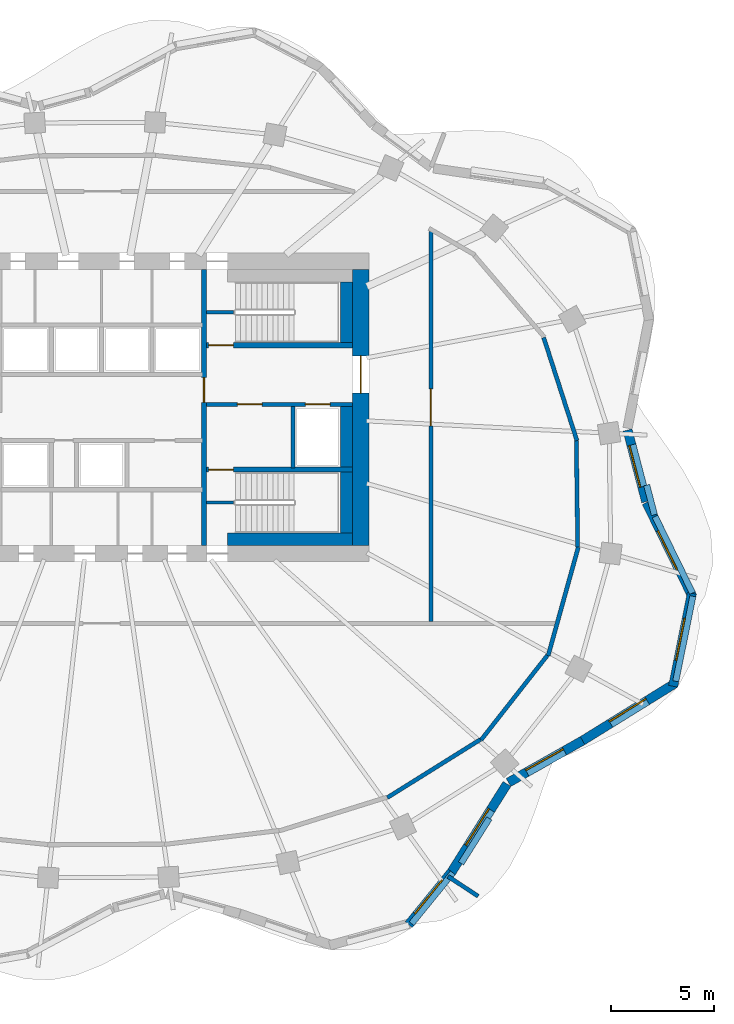
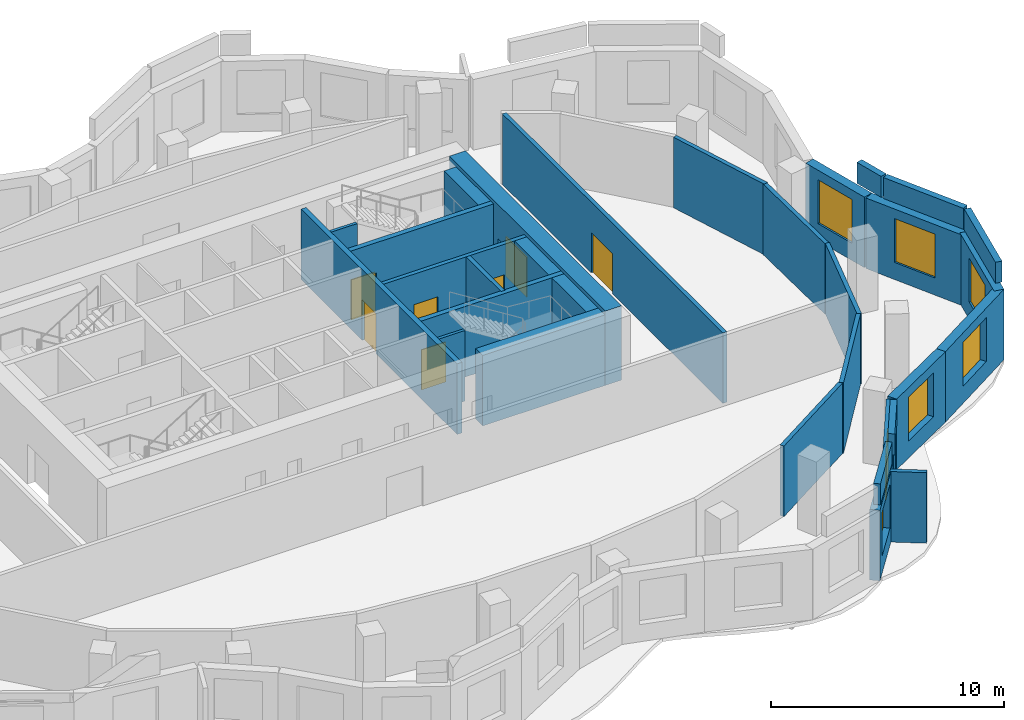
# One storey, part 5 of 8: 31 walls, 7 doors, 7 windows, 14 openings.
"""IFC4 building model written with IfcOpenShell, lengths in metres."""

import ifcopenshell
import ifcopenshell.guid

model = None  # the IFC model being written
_history = None  # IfcOwnerHistory: only IFC2X3 demands one
_inside = {}  # id of a spatial element -> (the spatial element, [elements in it])
_under = {}  # id of a project, library or spatial element -> (it, [spatial elements below it])
_declared = {}  # id of a project -> (the project, [libraries it declares])
_typed = {}  # id of a type object -> (the type object, [elements of that type])
_made_of = {}  # id of a material, layer set ... -> (it, [elements and type objects made of it])


def new_model(schema):
    """Start an empty IFC model of exactly this schema.

    Asked for "IFC4X3", IfcOpenShell would pick the latest addendum, in which some entities
    have other attributes; the version numbers below select the first issue.
    IFC2X3 requires an IfcOwnerHistory on every rooted entity: one is made here for all.
    """
    global model, _history
    if schema == "IFC4X3":
        model = ifcopenshell.file(schema_version=(4, 3, 0, 0))
    else:
        model = ifcopenshell.file(schema=schema)
    _inside.clear()
    _under.clear()
    _declared.clear()
    _typed.clear()
    _made_of.clear()
    _history = None
    if model.schema == "IFC2X3":
        org = make("IfcOrganization", Name="unknown")
        user = make(
            "IfcPersonAndOrganization",
            ThePerson=make("IfcPerson", FamilyName="unknown"),
            TheOrganization=org,
        )
        app = make(
            "IfcApplication",
            ApplicationDeveloper=org,
            Version="unknown",
            ApplicationFullName="unknown",
            ApplicationIdentifier="unknown",
        )
        _history = make(
            "IfcOwnerHistory",
            OwningUser=user,
            OwningApplication=app,
            ChangeAction="ADDED",
            CreationDate=0,
        )
    return model


def make(cls, **values):
    """One entity of the class cls with the attributes given. An attribute that is None is left unset."""
    return model.create_entity(
        cls, **{name: value for name, value in values.items() if value is not None}
    )


def rooted(cls, **values):
    """An entity with a GlobalId (a new one), such as an element, a storey or a relation."""
    return make(cls, GlobalId=ifcopenshell.guid.new(), OwnerHistory=_history, **values)


def si_unit(unit_type, name, prefix=None):
    """IfcSIUnit, for example si_unit("LENGTHUNIT", "METRE", prefix="MILLI")."""
    return make("IfcSIUnit", UnitType=unit_type, Prefix=prefix, Name=name)


def assignment(units):
    """IfcUnitAssignment: the units of a project."""
    return None if units is None else make("IfcUnitAssignment", Units=units)


def point(xyz):
    """IfcCartesianPoint."""
    return None if xyz is None else make("IfcCartesianPoint", Coordinates=xyz)


def direction(xyz):
    """IfcDirection."""
    return None if xyz is None else make("IfcDirection", DirectionRatios=xyz)


def frame(location, z_axis=None, x_axis=None):
    """IfcAxis2Placement3D, a coordinate frame: its origin and axes. An axis left out is left unset."""
    return make(
        "IfcAxis2Placement3D",
        Location=point(location),
        Axis=direction(z_axis),
        RefDirection=direction(x_axis),
    )


def frame_2d(location, x_axis=None):
    """IfcAxis2Placement2D, a coordinate frame in the plane: its origin and x axis."""
    return make(
        "IfcAxis2Placement2D", Location=point(location), RefDirection=direction(x_axis)
    )


def origin():
    """The frame at (0, 0, 0) with its axes left unset."""
    return frame((0.0, 0.0, 0.0))


def place(relative_to, where):
    """IfcLocalPlacement: puts the frame where relative to a parent placement (None: the world)."""
    return make(
        "IfcLocalPlacement", PlacementRelTo=relative_to, RelativePlacement=where
    )


def context(
    kind, dimensions, precision=None, world=None, true_north=None, identifier=None
):
    """IfcGeometricRepresentationContext, for example the 3D "Model" context."""
    return make(
        "IfcGeometricRepresentationContext",
        ContextIdentifier=identifier,
        ContextType=kind,
        CoordinateSpaceDimension=dimensions,
        Precision=precision,
        WorldCoordinateSystem=world,
        TrueNorth=true_north,
    )


def subcontext(parent, identifier, kind, view, scale=None):
    """IfcGeometricRepresentationSubContext, for example "Body" below "Model"."""
    return make(
        "IfcGeometricRepresentationSubContext",
        ContextIdentifier=identifier,
        ContextType=kind,
        ParentContext=parent,
        TargetScale=scale,
        TargetView=view,
    )


def project(units=None, contexts=None):
    """IfcProject with its units and contexts."""
    return rooted(
        "IfcProject",
        Name="project",
        RepresentationContexts=contexts,
        UnitsInContext=assignment(units),
    )


def spatial(cls, under=None, at=None, **own):
    """A site, building, storey or space (cls), placed at a placement, below another one or the project."""
    s = rooted(cls, ObjectPlacement=at, **own)
    if under is not None:
        _under.setdefault(under.id(), (under, []))[1].append(s)
    return s


def profile(cls, at=None, kind="AREA", **sizes):
    """A parametric profile (cls). Its sizes go by their IFC names, for example OverallWidth=200.0."""
    return make(cls, ProfileType=kind, Position=at, **sizes)


def rectangle(**sizes):
    """IfcRectangleProfileDef."""
    return profile("IfcRectangleProfileDef", **sizes)


def extrude(swept, where, along, depth):
    """IfcExtrudedAreaSolid: the profile swept, set in the frame where, extruded along a direction by depth."""
    return make(
        "IfcExtrudedAreaSolid",
        SweptArea=swept,
        Position=where,
        ExtrudedDirection=direction(along),
        Depth=depth,
    )


def shape(context_of_items, identifier, shape_type, items):
    """IfcShapeRepresentation: the items that make up one representation, for example the "Body"."""
    return make(
        "IfcShapeRepresentation",
        ContextOfItems=context_of_items,
        RepresentationIdentifier=identifier,
        RepresentationType=shape_type,
        Items=items,
    )


def material(Name=None, Category=None):
    """IfcMaterial."""
    return make("IfcMaterial", Name=Name, Category=Category)


def layer(
    of_material, thickness, ventilated=None, Name=None, Category=None, Priority=None
):
    """IfcMaterialLayer: one layer of a wall or slab, of a material (None: an air gap)."""
    return make(
        "IfcMaterialLayer",
        Material=of_material,
        LayerThickness=thickness,
        IsVentilated=ventilated,
        Name=Name,
        Category=Category,
        Priority=Priority,
    )


def layer_set(layers, Name=None):
    """IfcMaterialLayerSet."""
    return make("IfcMaterialLayerSet", MaterialLayers=layers, LayerSetName=Name)


def made_of(thing, what):
    """Note that an element or type object is made of a material, layer set ...; save() writes the relation."""
    if what is not None:
        _made_of.setdefault(what.id(), (what, []))[1].append(thing)
    return thing


def type_object(cls, material=None, **own):
    """A type object (cls), such as IfcWallType, which elements share."""
    return made_of(rooted(cls, **own), material)


def element(
    cls,
    number,
    at=None,
    inside=None,
    cuts=None,
    type_object=None,
    material=None,
    context=None,
    identifier="Body",
    shape_type=None,
    held_by="IfcProductDefinitionShape",
    body=None,
    shapes=None,
    **own,
):
    """One element of the class cls, such as IfcWall. Its Tag is "e" and its number.

    at: its placement. inside: the storey or other place that contains it. cuts: it is an
    opening in that element (IfcRelVoidsElement). A single representation is given by context,
    identifier, shape_type and body (its items); several are given by shapes. held_by: the class
    of the entity that holds the representations. save() writes the other relations.
    """
    e = rooted(cls, Tag="e%d" % number, ObjectPlacement=at, **own)
    if body is not None:
        shapes = [shape(context, identifier, shape_type, body)]
    if shapes is not None:
        e.Representation = make(held_by, Representations=shapes)
    if inside is not None:
        _inside.setdefault(inside.id(), (inside, []))[1].append(e)
    if cuts is not None:
        rooted(
            "IfcRelVoidsElement", RelatingBuildingElement=cuts, RelatedOpeningElement=e
        )
    if type_object is not None:
        _typed.setdefault(type_object.id(), (type_object, []))[1].append(e)
    return made_of(e, material)


def fill(opening, filler):
    """IfcRelFillsElement: the door or window that sits in an opening."""
    return rooted(
        "IfcRelFillsElement",
        RelatingOpeningElement=opening,
        RelatedBuildingElement=filler,
    )


def aggregate(whole, parts):
    """IfcRelAggregates: a whole, such as a stair, and the parts it consists of."""
    return rooted("IfcRelAggregates", RelatingObject=whole, RelatedObjects=parts)


def save(model, path):
    """Write the relations noted so far, then the file.

    IfcRelAggregates (storeys below a building ...), IfcRelContainedInSpatialStructure (elements
    in a storey), IfcRelDefinesByType, IfcRelAssociatesMaterial and IfcRelDeclares: one each for
    every whole, place, type object, material and project.
    """
    for whole, parts in _under.values():
        aggregate(whole, parts)
    for where, things in _inside.values():
        rooted(
            "IfcRelContainedInSpatialStructure",
            RelatedElements=things,
            RelatingStructure=where,
        )
    for kind, things in _typed.values():
        rooted("IfcRelDefinesByType", RelatedObjects=things, RelatingType=kind)
    for what, things in _made_of.values():
        rooted("IfcRelAssociatesMaterial", RelatedObjects=things, RelatingMaterial=what)
    for by, libraries in _declared.values():
        rooted("IfcRelDeclares", RelatingContext=by, RelatedDefinitions=libraries)
    model.write(path)


model = new_model("IFC4")

# Units and contexts
model_context = context("Model", 3, precision=1e-05, world=origin(), true_north=direction((0.0, 1.0)))
body_context = subcontext(model_context, "Body", "Model", "MODEL_VIEW")
ifc_project = project(units=[si_unit("LENGTHUNIT", "METRE"), si_unit("AREAUNIT", "SQUARE_METRE"), si_unit("VOLUMEUNIT", "CUBIC_METRE"), si_unit("PLANEANGLEUNIT", "RADIAN"), si_unit("MASSUNIT", "GRAM", prefix="KILO")], contexts=[model_context])

# Site, building, storey
site_placement = place(None, origin())
site = spatial("IfcSite", under=ifc_project, at=site_placement, CompositionType="ELEMENT")
building_placement = place(site_placement, origin())
building = spatial("IfcBuilding", under=site, at=building_placement, Name="Rubra Terraces Tower", CompositionType="ELEMENT")
storey_placement = place(building_placement, frame((0.0, 0.0, 193.5)))
storey = spatial("IfcBuildingStorey", under=building, at=storey_placement, Name="L47", CompositionType="ELEMENT", Elevation=193.5)

# Wall, opening, window
ifc_material_1 = material(Name="Brick masonry red-brown", Category="masonry")
ifc_layer_1 = layer(ifc_material_1, 0.449951171875)
ifc_layer_set_1 = layer_set([ifc_layer_1], Name="Brick masonry red-brown")
wall_type_1 = type_object("IfcWallType", Name="Brick facade wall 450", PredefinedType="SOLIDWALL", material=ifc_layer_set_1)
wall_1_placement = place(storey_placement, frame((26.469482421875, -0.0791015625, 0.0), z_axis=(0.0, 0.0, 1.0), x_axis=(-0.252446779859, 0.967610780913, 0.0)))
wall_1 = element("IfcWall", 1, at=wall_1_placement, inside=storey, type_object=wall_type_1, Name="Facade wall L47 bay 1", PredefinedType="SOLIDWALL", context=body_context, shape_type="SweptSolid", body=[
    extrude(rectangle(XDim=3.5947265625, YDim=0.449951171875, at=frame_2d((1.79736328125, 0.0))), origin(), (0.0, 0.0, 1.0), 3.699951171875),
])
opening_1_placement = place(wall_1_placement, frame((0.747314453125, 0.0, 0.89990234375)))
opening_1 = element("IfcOpeningElement", 2, at=opening_1_placement, cuts=wall_1, Name="Opening W1B", PredefinedType="OPENING", context=body_context, shape_type="SweptSolid", body=[
    extrude(rectangle(XDim=2.10009765625, YDim=2.300048828125, at=frame_2d((1.050048828125, 1.14990234375))), frame((0.0, 0.23486328125, 0.0), z_axis=(0.0, -1.0, 0.0), x_axis=(1.0, 0.0, 0.0)), (0.0, 0.0, 1.0), 0.469970703125),
])
ifc_material_2 = material(Name="Clear glass in aluminium frame", Category="aluminium")
window_type = type_object("IfcWindowType", Name="Fixed deep-set window tall storey 2100 x 2300", PartitioningType="SINGLE_PANEL", PredefinedType="WINDOW", material=ifc_material_2)
window_1_placement = place(opening_1_placement, origin())
window_1 = element("IfcWindow", 3, at=window_1_placement, inside=storey, type_object=window_type, Name="Window L47 bay 1", OverallHeight=2.300048828125, OverallWidth=2.10009765625, PartitioningType="SINGLE_PANEL", PredefinedType="WINDOW", context=body_context, shape_type="SweptSolid", body=[
    extrude(rectangle(XDim=2.10009765625, YDim=2.300048828125, at=frame_2d((1.050048828125, 1.14990234375))), frame((0.0, 0.135009765625, 0.0), z_axis=(0.0, -1.0, 0.0), x_axis=(1.0, 0.0, 0.0)), (0.0, 0.0, 1.0), 0.06005859375),
])
fill(opening_1, window_1)

wall_2_placement = place(storey_placement, frame((14.925537109375, -20.640869140625, 0.0), z_axis=(0.0, 0.0, 1.0), x_axis=(0.631548074669, 0.775336720001, 0.0)))
wall_2 = element("IfcWall", 4, at=wall_2_placement, inside=storey, type_object=wall_type_1, Name="Facade wall L47 bay 35", PredefinedType="SOLIDWALL", context=body_context, shape_type="SweptSolid", body=[
    extrude(rectangle(XDim=3.3076171875, YDim=0.449951171875, at=frame_2d((1.65380859375, 0.0))), origin(), (0.0, 0.0, 1.0), 3.699951171875),
])
opening_2_placement = place(wall_2_placement, frame((0.603759765625, 0.0, 0.89990234375)))
opening_2 = element("IfcOpeningElement", 5, at=opening_2_placement, cuts=wall_2, Name="Opening W1B", PredefinedType="OPENING", context=body_context, shape_type="SweptSolid", body=[
    extrude(rectangle(XDim=2.10009765625, YDim=2.300048828125, at=frame_2d((1.050048828125, 1.14990234375))), frame((0.0, 0.23486328125, 0.0), z_axis=(0.0, -1.0, 0.0), x_axis=(1.0, 0.0, 0.0)), (0.0, 0.0, 1.0), 0.469970703125),
])
window_2_placement = place(opening_2_placement, origin())
window_2 = element("IfcWindow", 6, at=window_2_placement, inside=storey, type_object=window_type, Name="Window L47 bay 35", OverallHeight=2.300048828125, OverallWidth=2.10009765625, PartitioningType="SINGLE_PANEL", PredefinedType="WINDOW", context=body_context, shape_type="SweptSolid", body=[
    extrude(rectangle(XDim=2.10009765625, YDim=2.300048828125, at=frame_2d((1.050048828125, 1.14990234375))), frame((0.0, 0.135009765625, 0.0), z_axis=(0.0, -1.0, 0.0), x_axis=(1.0, 0.0, 0.0)), (0.0, 0.0, 1.0), 0.06005859375),
])
fill(opening_2, window_2)

wall_3_placement = place(storey_placement, frame((16.998291015625, -18.0986328125, 0.0), z_axis=(0.0, 0.0, 1.0), x_axis=(0.532745661304, 0.846275404559, 0.0)))
wall_3 = element("IfcWall", 7, at=wall_3_placement, inside=storey, type_object=wall_type_1, Name="Facade wall L47 bay 36", PredefinedType="SOLIDWALL", context=body_context, shape_type="SweptSolid", body=[
    extrude(rectangle(XDim=5.076171875, YDim=0.449951171875, at=frame_2d((2.5380859375, 0.0))), origin(), (0.0, 0.0, 1.0), 3.699951171875),
])
opening_3_placement = place(wall_3_placement, frame((1.488037109375, 0.0, 0.89990234375)))
opening_3 = element("IfcOpeningElement", 8, at=opening_3_placement, cuts=wall_3, Name="Opening W1B", PredefinedType="OPENING", context=body_context, shape_type="SweptSolid", body=[
    extrude(rectangle(XDim=2.10009765625, YDim=2.300048828125, at=frame_2d((1.050048828125, 1.14990234375))), frame((0.0, 0.23486328125, 0.0), z_axis=(0.0, -1.0, 0.0), x_axis=(1.0, 0.0, 0.0)), (0.0, 0.0, 1.0), 0.469970703125),
])
window_3_placement = place(opening_3_placement, origin())
window_3 = element("IfcWindow", 9, at=window_3_placement, inside=storey, type_object=window_type, Name="Window L47 bay 36", OverallHeight=2.300048828125, OverallWidth=2.10009765625, PartitioningType="SINGLE_PANEL", PredefinedType="WINDOW", context=body_context, shape_type="SweptSolid", body=[
    extrude(rectangle(XDim=2.10009765625, YDim=2.300048828125, at=frame_2d((1.050048828125, 1.14990234375))), frame((0.0, 0.135009765625, 0.0), z_axis=(0.0, -1.0, 0.0), x_axis=(1.0, 0.0, 0.0)), (0.0, 0.0, 1.0), 0.06005859375),
])
fill(opening_3, window_3)

wall_4_placement = place(storey_placement, frame((19.77587890625, -13.730712890625, 0.0), z_axis=(0.0, 0.0, 1.0), x_axis=(0.870610133829, 0.491973571318, 0.0)))
wall_4 = element("IfcWall", 10, at=wall_4_placement, inside=storey, type_object=wall_type_1, Name="Facade wall L47 bay 37", PredefinedType="SOLIDWALL", context=body_context, shape_type="SweptSolid", body=[
    extrude(rectangle(XDim=4.1337890625, YDim=0.449951171875, at=frame_2d((2.06689453125, 0.0))), origin(), (0.0, 0.0, 1.0), 3.699951171875),
])
opening_4_placement = place(wall_4_placement, frame((1.016845703125, 0.0, 0.89990234375)))
opening_4 = element("IfcOpeningElement", 11, at=opening_4_placement, cuts=wall_4, Name="Opening W1B", PredefinedType="OPENING", context=body_context, shape_type="SweptSolid", body=[
    extrude(rectangle(XDim=2.10009765625, YDim=2.300048828125, at=frame_2d((1.050048828125, 1.14990234375))), frame((0.0, 0.23486328125, 0.0), z_axis=(0.0, -1.0, 0.0), x_axis=(1.0, 0.0, 0.0)), (0.0, 0.0, 1.0), 0.469970703125),
])
window_4_placement = place(opening_4_placement, origin())
window_4 = element("IfcWindow", 12, at=window_4_placement, inside=storey, type_object=window_type, Name="Window L47 bay 37", OverallHeight=2.300048828125, OverallWidth=2.10009765625, PartitioningType="SINGLE_PANEL", PredefinedType="WINDOW", context=body_context, shape_type="SweptSolid", body=[
    extrude(rectangle(XDim=2.10009765625, YDim=2.300048828125, at=frame_2d((1.050048828125, 1.14990234375))), frame((0.0, 0.135009765625, 0.0), z_axis=(0.0, -1.0, 0.0), x_axis=(1.0, 0.0, 0.0)), (0.0, 0.0, 1.0), 0.06005859375),
])
fill(opening_4, window_4)

wall_5_placement = place(storey_placement, frame((23.368408203125, -11.700927734375, 0.0), z_axis=(0.0, 0.0, 1.0), x_axis=(0.850251408633, 0.526376806211, 0.0)))
wall_5 = element("IfcWall", 13, at=wall_5_placement, inside=storey, type_object=wall_type_1, Name="Facade wall L47 bay 38", PredefinedType="SOLIDWALL", context=body_context, shape_type="SweptSolid", body=[
    extrude(rectangle(XDim=5.30224609375, YDim=0.449951171875, at=frame_2d((2.651123046875, 0.0))), origin(), (0.0, 0.0, 1.0), 3.699951171875),
])
opening_5_placement = place(wall_5_placement, frame((1.601318359375, 0.0, 0.89990234375)))
opening_5 = element("IfcOpeningElement", 14, at=opening_5_placement, cuts=wall_5, Name="Opening W1B", PredefinedType="OPENING", context=body_context, shape_type="SweptSolid", body=[
    extrude(rectangle(XDim=2.10009765625, YDim=2.300048828125, at=frame_2d((1.050048828125, 1.14990234375))), frame((0.0, 0.23486328125, 0.0), z_axis=(0.0, -1.0, 0.0), x_axis=(1.0, 0.0, 0.0)), (0.0, 0.0, 1.0), 0.469970703125),
])
window_5_placement = place(opening_5_placement, origin())
window_5 = element("IfcWindow", 15, at=window_5_placement, inside=storey, type_object=window_type, Name="Window L47 bay 38", OverallHeight=2.300048828125, OverallWidth=2.10009765625, PartitioningType="SINGLE_PANEL", PredefinedType="WINDOW", context=body_context, shape_type="SweptSolid", body=[
    extrude(rectangle(XDim=2.10009765625, YDim=2.300048828125, at=frame_2d((1.050048828125, 1.14990234375))), frame((0.0, 0.135009765625, 0.0), z_axis=(0.0, -1.0, 0.0), x_axis=(1.0, 0.0, 0.0)), (0.0, 0.0, 1.0), 0.06005859375),
])
fill(opening_5, window_5)

wall_6_placement = place(storey_placement, frame((27.779541015625, -9.053466796875, 0.0), z_axis=(0.0, 0.0, 1.0), x_axis=(0.197796229105, 0.980243159503, 0.0)))
wall_6 = element("IfcWall", 16, at=wall_6_placement, inside=storey, type_object=wall_type_1, Name="Facade wall L47 bay 39", PredefinedType="SOLIDWALL", context=body_context, shape_type="SweptSolid", body=[
    extrude(rectangle(XDim=4.610107421875, YDim=0.449951171875, at=frame_2d((2.30517578125, 0.0))), origin(), (0.0, 0.0, 1.0), 3.699951171875),
])
opening_6_placement = place(wall_6_placement, frame((1.255126953125, 0.0, 0.89990234375)))
opening_6 = element("IfcOpeningElement", 17, at=opening_6_placement, cuts=wall_6, Name="Opening W1B", PredefinedType="OPENING", context=body_context, shape_type="SweptSolid", body=[
    extrude(rectangle(XDim=2.10009765625, YDim=2.300048828125, at=frame_2d((1.050048828125, 1.14990234375))), frame((0.0, 0.23486328125, 0.0), z_axis=(0.0, -1.0, 0.0), x_axis=(1.0, 0.0, 0.0)), (0.0, 0.0, 1.0), 0.469970703125),
])
window_6_placement = place(opening_6_placement, origin())
window_6 = element("IfcWindow", 18, at=window_6_placement, inside=storey, type_object=window_type, Name="Window L47 bay 39", OverallHeight=2.300048828125, OverallWidth=2.10009765625, PartitioningType="SINGLE_PANEL", PredefinedType="WINDOW", context=body_context, shape_type="SweptSolid", body=[
    extrude(rectangle(XDim=2.10009765625, YDim=2.300048828125, at=frame_2d((1.050048828125, 1.14990234375))), frame((0.0, 0.135009765625, 0.0), z_axis=(0.0, -1.0, 0.0), x_axis=(1.0, 0.0, 0.0)), (0.0, 0.0, 1.0), 0.06005859375),
])
fill(opening_6, window_6)

wall_7_placement = place(storey_placement, frame((28.70703125, -4.672119140625, 0.0), z_axis=(0.0, 0.0, 1.0), x_axis=(-0.439053549989, 0.898460895221, 0.0)))
wall_7 = element("IfcWall", 19, at=wall_7_placement, inside=storey, type_object=wall_type_1, Name="Facade wall L47 bay 40", PredefinedType="SOLIDWALL", context=body_context, shape_type="SweptSolid", body=[
    extrude(rectangle(XDim=5.061767578125, YDim=0.449951171875, at=frame_2d((2.53076171875, 0.0))), origin(), (0.0, 0.0, 1.0), 3.699951171875),
])
opening_7_placement = place(wall_7_placement, frame((1.48095703125, 0.0, 0.89990234375)))
opening_7 = element("IfcOpeningElement", 20, at=opening_7_placement, cuts=wall_7, Name="Opening W1B", PredefinedType="OPENING", context=body_context, shape_type="SweptSolid", body=[
    extrude(rectangle(XDim=2.10009765625, YDim=2.300048828125, at=frame_2d((1.050048828125, 1.14990234375))), frame((0.0, 0.23486328125, 0.0), z_axis=(0.0, -1.0, 0.0), x_axis=(1.0, 0.0, 0.0)), (0.0, 0.0, 1.0), 0.469970703125),
])
window_7_placement = place(opening_7_placement, origin())
window_7 = element("IfcWindow", 21, at=window_7_placement, inside=storey, type_object=window_type, Name="Window L47 bay 40", OverallHeight=2.300048828125, OverallWidth=2.10009765625, PartitioningType="SINGLE_PANEL", PredefinedType="WINDOW", context=body_context, shape_type="SweptSolid", body=[
    extrude(rectangle(XDim=2.10009765625, YDim=2.300048828125, at=frame_2d((1.050048828125, 1.14990234375))), frame((0.0, 0.135009765625, 0.0), z_axis=(0.0, -1.0, 0.0), x_axis=(1.0, 0.0, 0.0)), (0.0, 0.0, 1.0), 0.06005859375),
])
fill(opening_7, window_7)

# Walls
ifc_layer_2 = layer(ifc_material_1, 0.300048828125)
ifc_layer_set_2 = layer_set([ifc_layer_2], Name="Brick masonry red-brown")
wall_type_2 = type_object("IfcWallType", Name="Brick parapet 300", PredefinedType="PARAPET", material=ifc_layer_set_2)
wall_8_placement = place(storey_placement, frame((26.869140625, -0.72021484375, 3.89990234375), z_axis=(0.0, 0.0, 1.0), x_axis=(-0.252455198803, 0.967608584396, 0.0)))
element("IfcWall", 22, at=wall_8_placement, inside=storey, type_object=wall_type_2, Name="Parapet L47 bay 1", PredefinedType="PARAPET", context=body_context, shape_type="SweptSolid", body=[
    extrude(rectangle(XDim=1.4921875, YDim=0.300048828125, at=frame_2d((0.74609375, 0.0))), origin(), (0.0, 0.0, 1.0), 1.10009765625),
])
wall_9_placement = place(storey_placement, frame((15.063232421875, -20.590576171875, 3.89990234375), z_axis=(0.0, 0.0, 1.0), x_axis=(0.631539712948, 0.775343530939, 0.0)))
element("IfcWall", 23, at=wall_9_placement, inside=storey, type_object=wall_type_2, Name="Parapet L47 bay 35", PredefinedType="PARAPET", context=body_context, shape_type="SweptSolid", body=[
    extrude(rectangle(XDim=3.181640625, YDim=0.300048828125, at=frame_2d((1.5908203125, 0.0))), origin(), (0.0, 0.0, 1.0), 1.10009765625),
])
wall_10_placement = place(storey_placement, frame((17.4658203125, -17.663818359375, 3.89990234375), z_axis=(0.0, 0.0, 1.0), x_axis=(0.532743008157, 0.846277074758, 0.0)))
element("IfcWall", 24, at=wall_10_placement, inside=storey, type_object=wall_type_2, Name="Parapet L47 bay 36", PredefinedType="PARAPET", context=body_context, shape_type="SweptSolid", body=[
    extrude(rectangle(XDim=2.58056640625, YDim=0.300048828125, at=frame_2d((1.290283203125, 0.0))), origin(), (0.0, 0.0, 1.0), 1.10009765625),
])
wall_11_placement = place(storey_placement, frame((27.90478515625, -8.8115234375, 3.89990234375), z_axis=(0.0, 0.0, 1.0), x_axis=(0.197841673862, 0.980233988435, 0.0)))
element("IfcWall", 25, at=wall_11_placement, inside=storey, type_object=wall_type_2, Name="Parapet L47 bay 39", PredefinedType="PARAPET", context=body_context, shape_type="SweptSolid", body=[
    extrude(rectangle(XDim=4.216552734375, YDim=0.300048828125, at=frame_2d((2.1083984375, 0.0))), origin(), (0.0, 0.0, 1.0), 1.10009765625),
])
wall_12_placement = place(storey_placement, frame((28.719482421875, -4.5263671875, 3.89990234375), z_axis=(0.0, 0.0, 1.0), x_axis=(-0.439134033243, 0.898421560765, 0.0)))
element("IfcWall", 26, at=wall_12_placement, inside=storey, type_object=wall_type_2, Name="Parapet L47 bay 40", PredefinedType="PARAPET", context=body_context, shape_type="SweptSolid", body=[
    extrude(rectangle(XDim=4.14306640625, YDim=0.300048828125, at=frame_2d((2.071533203125, 0.0))), origin(), (0.0, 0.0, 1.0), 1.10009765625),
])
ifc_layer_3 = layer(ifc_material_1, 0.199951171875)
ifc_layer_set_3 = layer_set([ifc_layer_3], Name="Brick masonry red-brown")
wall_type_3 = type_object("IfcWallType", Name="Brick wind fin 200", PredefinedType="SOLIDWALL", material=ifc_layer_set_3)
wall_13_placement = place(storey_placement, frame((16.837890625, -18.298095703125, 0.0), z_axis=(0.0, 0.0, 1.0), x_axis=(0.835871900419, -0.548924554097, 0.0)))
element("IfcWall", 27, at=wall_13_placement, inside=storey, type_object=wall_type_3, Name="Wind fin L47 21", PredefinedType="SOLIDWALL", context=body_context, shape_type="SweptSolid", body=[
    extrude(rectangle(XDim=1.750244140625, YDim=0.199951171875, at=frame_2d((0.875, 0.0))), origin(), (0.0, 0.0, 1.0), 3.699951171875),
])

# Wall, opening, door
ifc_material_3 = material(Name="Concrete C50", Category="concrete")
ifc_layer_4 = layer(ifc_material_3, 0.800048828125)
ifc_layer_set_4 = layer_set([ifc_layer_4], Name="Concrete C50")
wall_type_4 = type_object("IfcWallType", Name="CORE WALL 800 C50", PredefinedType="SHEAR", material=ifc_layer_set_4)
wall_14_placement = place(storey_placement, frame((12.60009765625, -2.199951171875, 0.0), z_axis=(0.0, 0.0, 1.0), x_axis=(0.0, 1.0, 0.0)))
wall_14 = element("IfcWall", 28, at=wall_14_placement, inside=storey, type_object=wall_type_4, Name="CORE WALL E L47", PredefinedType="SHEAR", context=body_context, shape_type="SweptSolid", body=[
    extrude(rectangle(XDim=13.39990234375, YDim=0.800048828125, at=frame_2d((6.699951171875, 0.0))), origin(), (0.0, 0.0, 1.0), 3.89990234375),
])
opening_8_placement = place(wall_14_placement, frame((7.39990234375, 0.0, 0.0)))
opening_8 = element("IfcOpeningElement", 29, at=opening_8_placement, cuts=wall_14, Name="Opening L47.C02", PredefinedType="OPENING", context=body_context, shape_type="SweptSolid", body=[
    extrude(rectangle(XDim=1.800048828125, YDim=2.10009765625, at=frame_2d((0.89990234375, 1.050048828125))), frame((0.0, 0.409912109375, 0.0), z_axis=(0.0, -1.0, 0.0), x_axis=(1.0, 0.0, 0.0)), (0.0, 0.0, 1.0), 0.820068359375),
])
ifc_material_4 = material(Name="Painted steel", Category="steel")
door_type_1 = type_object("IfcDoorType", Name="Fire door 1800x2100 double", OperationType="NOTDEFINED", PredefinedType="DOOR", material=ifc_material_4)
door_1_placement = place(opening_8_placement, origin())
door_1 = element("IfcDoor", 30, at=door_1_placement, inside=storey, type_object=door_type_1, Name="Core entrance door FF2", OperationType="DOUBLE_DOOR_SINGLE_SWING", OverallHeight=2.10009765625, OverallWidth=1.800048828125, PredefinedType="DOOR", context=body_context, shape_type="SweptSolid", body=[
    extrude(rectangle(XDim=1.800048828125, YDim=2.10009765625, at=frame_2d((0.89990234375, 1.050048828125))), frame((0.0, 0.02490234375, 0.0), z_axis=(0.0, -1.0, 0.0), x_axis=(1.0, 0.0, 0.0)), (0.0, 0.0, 1.0), 0.050048828125),
])
fill(opening_8, door_1)

# Walls
ifc_material_5 = material(Name="Concrete C40", Category="concrete")
ifc_layer_5 = layer(ifc_material_5, 0.60009765625)
ifc_layer_set_5 = layer_set([ifc_layer_5], Name="Concrete C40")
wall_type_5 = type_object("IfcWallType", Name="Core lining wall 600 concrete", PredefinedType="SOLIDWALL", material=ifc_layer_set_5)
wall_15_placement = place(storey_placement, frame((11.89990234375, 10.60009765625, 0.0), z_axis=(0.0, 0.0, 1.0), x_axis=(0.0, -1.0, 0.0)))
element("IfcWall", 31, at=wall_15_placement, inside=storey, type_object=wall_type_5, Name="CORE LINING WALL L47", PredefinedType="SOLIDWALL", context=body_context, shape_type="SweptSolid", body=[
    extrude(rectangle(XDim=2.9501953125, YDim=0.60009765625, at=frame_2d((1.47509765625, 0.0))), origin(), (0.0, 0.0, 1.0), 3.699951171875),
])
wall_16_placement = place(storey_placement, frame((11.89990234375, 4.550048828125, 0.0), z_axis=(0.0, 0.0, 1.0), x_axis=(0.0, -1.0, 0.0)))
element("IfcWall", 32, at=wall_16_placement, inside=storey, type_object=wall_type_5, Name="CORE LINING WALL L47", PredefinedType="SOLIDWALL", context=body_context, shape_type="SweptSolid", body=[
    extrude(rectangle(XDim=3.0, YDim=0.60009765625, at=frame_2d((1.5, 0.0))), origin(), (0.0, 0.0, 1.0), 3.699951171875),
])
wall_17_placement = place(storey_placement, frame((11.89990234375, 1.35009765625, 0.0), z_axis=(0.0, 0.0, 1.0), x_axis=(0.0, -1.0, 0.0)))
element("IfcWall", 33, at=wall_17_placement, inside=storey, type_object=wall_type_5, Name="CORE LINING WALL L47", PredefinedType="SOLIDWALL", context=body_context, shape_type="SweptSolid", body=[
    extrude(rectangle(XDim=2.9501953125, YDim=0.60009765625, at=frame_2d((1.47509765625, 0.0))), origin(), (0.0, 0.0, 1.0), 3.699951171875),
])
wall_18_placement = place(storey_placement, frame((12.199951171875, -1.89990234375, 0.0), z_axis=(0.0, 0.0, 1.0), x_axis=(-1.0, 0.0, 0.0)))
element("IfcWall", 34, at=wall_18_placement, inside=storey, type_object=wall_type_5, Name="CORE LINING WALL L47", PredefinedType="SOLIDWALL", context=body_context, shape_type="SweptSolid", body=[
    extrude(rectangle(XDim=6.079833984375, YDim=0.60009765625, at=frame_2d((3.0400390625, 0.0))), origin(), (0.0, 0.0, 1.0), 3.699951171875),
])

# Wall, openings, doors
ifc_material_6 = material(Name="Concrete C30", Category="concrete")
ifc_layer_6 = layer(ifc_material_6, 0.199951171875)
ifc_layer_set_6 = layer_set([ifc_layer_6], Name="Concrete C30")
wall_type_6 = type_object("IfcWallType", Name="Core wall 200 concrete", PredefinedType="SOLIDWALL", material=ifc_layer_set_6)
wall_19_placement = place(storey_placement, frame((12.199951171875, 4.64990234375, 0.0), z_axis=(0.0, 0.0, 1.0), x_axis=(-1.0, 0.0, 0.0)))
wall_19 = element("IfcWall", 35, at=wall_19_placement, inside=storey, type_object=wall_type_6, Name="STAIR WALL L47", PredefinedType="SOLIDWALL", context=body_context, shape_type="SweptSolid", body=[
    extrude(rectangle(XDim=7.099853515625, YDim=0.199951171875, at=frame_2d((3.5498046875, 0.0))), origin(), (0.0, 0.0, 1.0), 3.699951171875),
])
opening_9_placement = place(wall_19_placement, frame((4.39990234375, 0.0, 0.0)))
opening_9 = element("IfcOpeningElement", 36, at=opening_9_placement, cuts=wall_19, Name="Opening L47.C06", PredefinedType="OPENING", context=body_context, shape_type="SweptSolid", body=[
    extrude(rectangle(XDim=1.199951171875, YDim=2.10009765625, at=frame_2d((0.60009765625, 1.050048828125))), frame((0.0, 0.10986328125, 0.0), z_axis=(0.0, -1.0, 0.0), x_axis=(1.0, 0.0, 0.0)), (0.0, 0.0, 1.0), 0.219970703125),
])
opening_10_placement = place(wall_19_placement, frame((1.10009765625, 0.0, 0.0)))
opening_10 = element("IfcOpeningElement", 37, at=opening_10_placement, cuts=wall_19, Name="Opening L47.C12", PredefinedType="OPENING", context=body_context, shape_type="SweptSolid", body=[
    extrude(rectangle(XDim=1.199951171875, YDim=2.10009765625, at=frame_2d((0.60009765625, 1.050048828125))), frame((0.0, 0.10986328125, 0.0), z_axis=(0.0, -1.0, 0.0), x_axis=(1.0, 0.0, 0.0)), (0.0, 0.0, 1.0), 0.219970703125),
])
door_type_2 = type_object("IfcDoorType", Name="Fire door 1200x2100 single", OperationType="NOTDEFINED", PredefinedType="DOOR", material=ifc_material_4)
door_2_placement = place(opening_9_placement, origin())
door_2 = element("IfcDoor", 38, at=door_2_placement, inside=storey, type_object=door_type_2, Name="Stair vestibule door S4", OperationType="SINGLE_SWING_RIGHT", OverallHeight=2.10009765625, OverallWidth=1.199951171875, PredefinedType="DOOR", context=body_context, shape_type="SweptSolid", body=[
    extrude(rectangle(XDim=1.199951171875, YDim=2.10009765625, at=frame_2d((0.60009765625, 1.050048828125))), frame((0.0, 0.02490234375, 0.0), z_axis=(0.0, -1.0, 0.0), x_axis=(1.0, 0.0, 0.0)), (0.0, 0.0, 1.0), 0.050048828125),
])
fill(opening_9, door_2)
ifc_material_7 = material(Name="Stainless steel", Category="steel")
door_type_3 = type_object("IfcDoorType", Name="Lift landing door 1200x2100", OperationType="NOTDEFINED", PredefinedType="DOOR", material=ifc_material_7)
door_3_placement = place(opening_10_placement, origin())
door_3 = element("IfcDoor", 39, at=door_3_placement, inside=storey, type_object=door_type_3, Name="Landing door FF2", OperationType="SLIDING_TO_RIGHT", OverallHeight=2.10009765625, OverallWidth=1.199951171875, PredefinedType="DOOR", context=body_context, shape_type="SweptSolid", body=[
    extrude(rectangle(XDim=1.199951171875, YDim=2.10009765625, at=frame_2d((0.60009765625, 1.050048828125))), frame((0.0, 0.02490234375, 0.0), z_axis=(0.0, -1.0, 0.0), x_axis=(1.0, 0.0, 0.0)), (0.0, 0.0, 1.0), 0.050048828125),
])
fill(opening_10, door_3)

# Walls
wall_20_placement = place(storey_placement, frame((9.300048828125, 4.550048828125, 0.0), z_axis=(0.0, 0.0, 1.0), x_axis=(0.0, -1.0, 0.0)))
element("IfcWall", 40, at=wall_20_placement, inside=storey, type_object=wall_type_6, Name="STAIR WALL L47", PredefinedType="SOLIDWALL", context=body_context, shape_type="SweptSolid", body=[
    extrude(rectangle(XDim=3.0, YDim=0.199951171875, at=frame_2d((1.5, 0.0))), origin(), (0.0, 0.0, 1.0), 3.699951171875),
])
ifc_material_8 = material(Name="Blockwork", Category="masonry")
ifc_layer_7 = layer(ifc_material_8, 0.199951171875)
ifc_layer_set_7 = layer_set([ifc_layer_7], Name="Blockwork")
wall_type_7 = type_object("IfcWallType", Name="Corridor partition 200 blockwork", PredefinedType="PARTITIONING", material=ifc_layer_set_7)
wall_21_placement = place(storey_placement, frame((23.1669921875, -2.294921875, 0.0), z_axis=(0.0, 0.0, 1.0), x_axis=(-0.267604764515, -0.963528769684, 0.0)))
element("IfcWall", 41, at=wall_21_placement, inside=storey, type_object=wall_type_7, Name="Partition wall", PredefinedType="PARTITIONING", context=body_context, shape_type="SweptSolid", body=[
    extrude(rectangle(XDim=5.474853515625, YDim=0.199951171875, at=frame_2d((2.7373046875, 0.0))), origin(), (0.0, 0.0, 1.0), 3.699951171875),
])
wall_22_placement = place(storey_placement, frame((21.6669921875, -7.552978515625, 0.0), z_axis=(0.0, 0.0, 1.0), x_axis=(-0.617143909163, -0.786850300491, 0.0)))
element("IfcWall", 42, at=wall_22_placement, inside=storey, type_object=wall_type_7, Name="Partition wall", PredefinedType="PARTITIONING", context=body_context, shape_type="SweptSolid", body=[
    extrude(rectangle(XDim=5.220703125, YDim=0.199951171875, at=frame_2d((2.6103515625, 0.0))), origin(), (0.0, 0.0, 1.0), 3.699951171875),
])
wall_23_placement = place(storey_placement, frame((18.422119140625, -11.635009765625, 0.0), z_axis=(0.0, 0.0, 1.0), x_axis=(-0.848223876435, -0.529637853108, 0.0)))
element("IfcWall", 43, at=wall_23_placement, inside=storey, type_object=wall_type_7, Name="Partition wall", PredefinedType="PARTITIONING", context=body_context, shape_type="SweptSolid", body=[
    extrude(rectangle(XDim=5.348876953125, YDim=0.199951171875, at=frame_2d((2.67431640625, 0.0))), origin(), (0.0, 0.0, 1.0), 3.699951171875),
])
wall_24_placement = place(storey_placement, frame((21.486083984375, 7.89501953125, 0.0), z_axis=(0.0, 0.0, 1.0), x_axis=(0.307481575482, -0.951554034587, 0.0)))
element("IfcWall", 44, at=wall_24_placement, inside=storey, type_object=wall_type_7, Name="Partition wall", PredefinedType="PARTITIONING", context=body_context, shape_type="SweptSolid", body=[
    extrude(rectangle(XDim=5.2587890625, YDim=0.199951171875, at=frame_2d((2.62939453125, 0.0))), origin(), (0.0, 0.0, 1.0), 3.699951171875),
])
wall_25_placement = place(storey_placement, frame((23.072998046875, 2.885986328125, 0.0), z_axis=(0.0, 0.0, 1.0), x_axis=(0.012731813994, -0.999918947171, 0.0)))
element("IfcWall", 45, at=wall_25_placement, inside=storey, type_object=wall_type_7, Name="Partition wall", PredefinedType="PARTITIONING", context=body_context, shape_type="SweptSolid", body=[
    extrude(rectangle(XDim=5.177490234375, YDim=0.199951171875, at=frame_2d((2.5888671875, 0.0))), origin(), (0.0, 0.0, 1.0), 3.699951171875),
])

# Wall, opening, door
wall_26_placement = place(storey_placement, frame((16.0, -5.89990234375, 0.0), z_axis=(0.0, 0.0, 1.0), x_axis=(0.0, 1.0, 0.0)))
wall_26 = element("IfcWall", 46, at=wall_26_placement, inside=storey, type_object=wall_type_7, Name="Partition wall", PredefinedType="PARTITIONING", context=body_context, shape_type="SweptSolid", body=[
    extrude(rectangle(XDim=18.951904296875, YDim=0.199951171875, at=frame_2d((9.47607421875, 0.0))), origin(), (0.0, 0.0, 1.0), 3.699951171875),
])
opening_11_placement = place(wall_26_placement, frame((9.5, 0.0, 0.0)))
opening_11 = element("IfcOpeningElement", 47, at=opening_11_placement, cuts=wall_26, Name="Opening DB3", PredefinedType="OPENING", context=body_context, shape_type="SweptSolid", body=[
    extrude(rectangle(XDim=1.800048828125, YDim=2.10009765625, at=frame_2d((0.89990234375, 1.050048828125))), frame((0.0, 0.10986328125, 0.0), z_axis=(0.0, -1.0, 0.0), x_axis=(1.0, 0.0, 0.0)), (0.0, 0.0, 1.0), 0.219970703125),
])
door_type_4 = type_object("IfcDoorType", Name="Door 1800x2100 double", OperationType="NOTDEFINED", PredefinedType="DOOR", material=ifc_material_4)
door_4_placement = place(opening_11_placement, origin())
door_4 = element("IfcDoor", 48, at=door_4_placement, inside=storey, type_object=door_type_4, Name="Refuge area door L47-03", OperationType="DOUBLE_DOOR_SINGLE_SWING", OverallHeight=2.10009765625, OverallWidth=1.800048828125, PredefinedType="DOOR", context=body_context, shape_type="SweptSolid", body=[
    extrude(rectangle(XDim=1.800048828125, YDim=2.10009765625, at=frame_2d((0.89990234375, 1.050048828125))), frame((0.0, 0.02490234375, 0.0), z_axis=(0.0, -1.0, 0.0), x_axis=(1.0, 0.0, 0.0)), (0.0, 0.0, 1.0), 0.050048828125),
])
fill(opening_11, door_4)

ifc_layer_8 = layer(ifc_material_5, 0.25)
ifc_layer_set_8 = layer_set([ifc_layer_8], Name="Concrete C40")
wall_type_8 = type_object("IfcWallType", Name="Stair enclosure wall 250 concrete", PredefinedType="SOLIDWALL", material=ifc_layer_set_8)
wall_27_placement = place(storey_placement, frame((12.199951171875, 7.52490234375, 0.0), z_axis=(0.0, 0.0, 1.0), x_axis=(-1.0, 0.0, 0.0)))
wall_27 = element("IfcWall", 49, at=wall_27_placement, inside=storey, type_object=wall_type_8, Name="STAIR WALL L47", PredefinedType="SOLIDWALL", context=body_context, shape_type="SweptSolid", body=[
    extrude(rectangle(XDim=7.099853515625, YDim=0.25, at=frame_2d((3.5498046875, 0.0))), origin(), (0.0, 0.0, 1.0), 3.699951171875),
])
opening_12_placement = place(wall_27_placement, frame((5.800048828125, 0.0, 0.0)))
opening_12 = element("IfcOpeningElement", 50, at=opening_12_placement, cuts=wall_27, Name="Opening L47.C08", PredefinedType="OPENING", context=body_context, shape_type="SweptSolid", body=[
    extrude(rectangle(XDim=1.199951171875, YDim=2.10009765625, at=frame_2d((0.60009765625, 1.050048828125))), frame((0.0, 0.135009765625, 0.0), z_axis=(0.0, -1.0, 0.0), x_axis=(1.0, 0.0, 0.0)), (0.0, 0.0, 1.0), 0.27001953125),
])
door_5_placement = place(opening_12_placement, origin())
door_5 = element("IfcDoor", 51, at=door_5_placement, inside=storey, type_object=door_type_2, Name="Stair door S3", OperationType="SINGLE_SWING_RIGHT", OverallHeight=2.10009765625, OverallWidth=1.199951171875, PredefinedType="DOOR", context=body_context, shape_type="SweptSolid", body=[
    extrude(rectangle(XDim=1.199951171875, YDim=2.10009765625, at=frame_2d((0.60009765625, 1.050048828125))), frame((0.0, 0.02490234375, 0.0), z_axis=(0.0, -1.0, 0.0), x_axis=(1.0, 0.0, 0.0)), (0.0, 0.0, 1.0), 0.050048828125),
])
fill(opening_12, door_5)

wall_28_placement = place(storey_placement, frame((12.199951171875, 1.47509765625, 0.0), z_axis=(0.0, 0.0, 1.0), x_axis=(-1.0, 0.0, 0.0)))
wall_28 = element("IfcWall", 52, at=wall_28_placement, inside=storey, type_object=wall_type_8, Name="STAIR WALL L47", PredefinedType="SOLIDWALL", context=body_context, shape_type="SweptSolid", body=[
    extrude(rectangle(XDim=7.099853515625, YDim=0.25, at=frame_2d((3.5498046875, 0.0))), origin(), (0.0, 0.0, 1.0), 3.699951171875),
])
opening_13_placement = place(wall_28_placement, frame((5.800048828125, 0.0, 0.0)))
opening_13 = element("IfcOpeningElement", 53, at=opening_13_placement, cuts=wall_28, Name="Opening L47.C10", PredefinedType="OPENING", context=body_context, shape_type="SweptSolid", body=[
    extrude(rectangle(XDim=1.199951171875, YDim=2.10009765625, at=frame_2d((0.60009765625, 1.050048828125))), frame((0.0, 0.135009765625, 0.0), z_axis=(0.0, -1.0, 0.0), x_axis=(1.0, 0.0, 0.0)), (0.0, 0.0, 1.0), 0.27001953125),
])
door_6_placement = place(opening_13_placement, origin())
door_6 = element("IfcDoor", 54, at=door_6_placement, inside=storey, type_object=door_type_2, Name="Stair door S4", OperationType="SINGLE_SWING_RIGHT", OverallHeight=2.10009765625, OverallWidth=1.199951171875, PredefinedType="DOOR", context=body_context, shape_type="SweptSolid", body=[
    extrude(rectangle(XDim=1.199951171875, YDim=2.10009765625, at=frame_2d((0.60009765625, 1.050048828125))), frame((0.0, 0.02490234375, 0.0), z_axis=(0.0, -1.0, 0.0), x_axis=(1.0, 0.0, 0.0)), (0.0, 0.0, 1.0), 0.050048828125),
])
fill(opening_13, door_6)

wall_29_placement = place(storey_placement, frame((4.97509765625, 11.199951171875, 0.0), z_axis=(0.0, 0.0, 1.0), x_axis=(0.0, -1.0, 0.0)))
wall_29 = element("IfcWall", 55, at=wall_29_placement, inside=storey, type_object=wall_type_8, Name="CORE LOBBY WALL L47", PredefinedType="SOLIDWALL", context=body_context, shape_type="SweptSolid", body=[
    extrude(rectangle(XDim=13.39990234375, YDim=0.25, at=frame_2d((6.699951171875, 0.0))), origin(), (0.0, 0.0, 1.0), 3.699951171875),
])
opening_14_placement = place(wall_29_placement, frame((5.25, 0.0, 0.0)))
opening_14 = element("IfcOpeningElement", 56, at=opening_14_placement, cuts=wall_29, Name="Opening L47.C04", PredefinedType="OPENING", context=body_context, shape_type="SweptSolid", body=[
    extrude(rectangle(XDim=1.199951171875, YDim=2.10009765625, at=frame_2d((0.60009765625, 1.050048828125))), frame((0.0, 0.135009765625, 0.0), z_axis=(0.0, -1.0, 0.0), x_axis=(1.0, 0.0, 0.0)), (0.0, 0.0, 1.0), 0.27001953125),
])
door_7_placement = place(opening_14_placement, origin())
door_7 = element("IfcDoor", 57, at=door_7_placement, inside=storey, type_object=door_type_2, Name="Firefighting lobby door FF2", OperationType="SINGLE_SWING_RIGHT", OverallHeight=2.10009765625, OverallWidth=1.199951171875, PredefinedType="DOOR", context=body_context, shape_type="SweptSolid", body=[
    extrude(rectangle(XDim=1.199951171875, YDim=2.10009765625, at=frame_2d((0.60009765625, 1.050048828125))), frame((0.0, 0.02490234375, 0.0), z_axis=(0.0, -1.0, 0.0), x_axis=(1.0, 0.0, 0.0)), (0.0, 0.0, 1.0), 0.050048828125),
])
fill(opening_14, door_7)

# Walls
ifc_layer_9 = layer(ifc_material_5, 0.14990234375)
ifc_layer_set_9 = layer_set([ifc_layer_9], Name="Concrete C40")
wall_type_9 = type_object("IfcWallType", Name="Stair separation wall 150 concrete", PredefinedType="SOLIDWALL", material=ifc_layer_set_9)
for number, where, z_axis, x_axis, name in (
    (58, (6.39990234375, 9.125, 0.0), (0.0, 0.0, 1.0), (-1.0, 0.0, 0.0), "STAIR SEPARATION WALL L47"),
    (59, (6.39990234375, -0.125, 0.0), (0.0, 0.0, 1.0), (-1.0, 0.0, 0.0), "STAIR SEPARATION WALL L47"),
):
    element("IfcWall", number, at=place(storey_placement, frame(where, z_axis=z_axis, x_axis=x_axis)), inside=storey, type_object=wall_type_9, Name=name, PredefinedType="SOLIDWALL", context=body_context, shape_type="SweptSolid", body=[
        extrude(rectangle(XDim=1.2998046875, YDim=0.14990234375, at=frame_2d((0.64990234375, 0.0))), origin(), (0.0, 0.0, 1.0), 3.699951171875),
    ])

save(model, "model.ifc")
